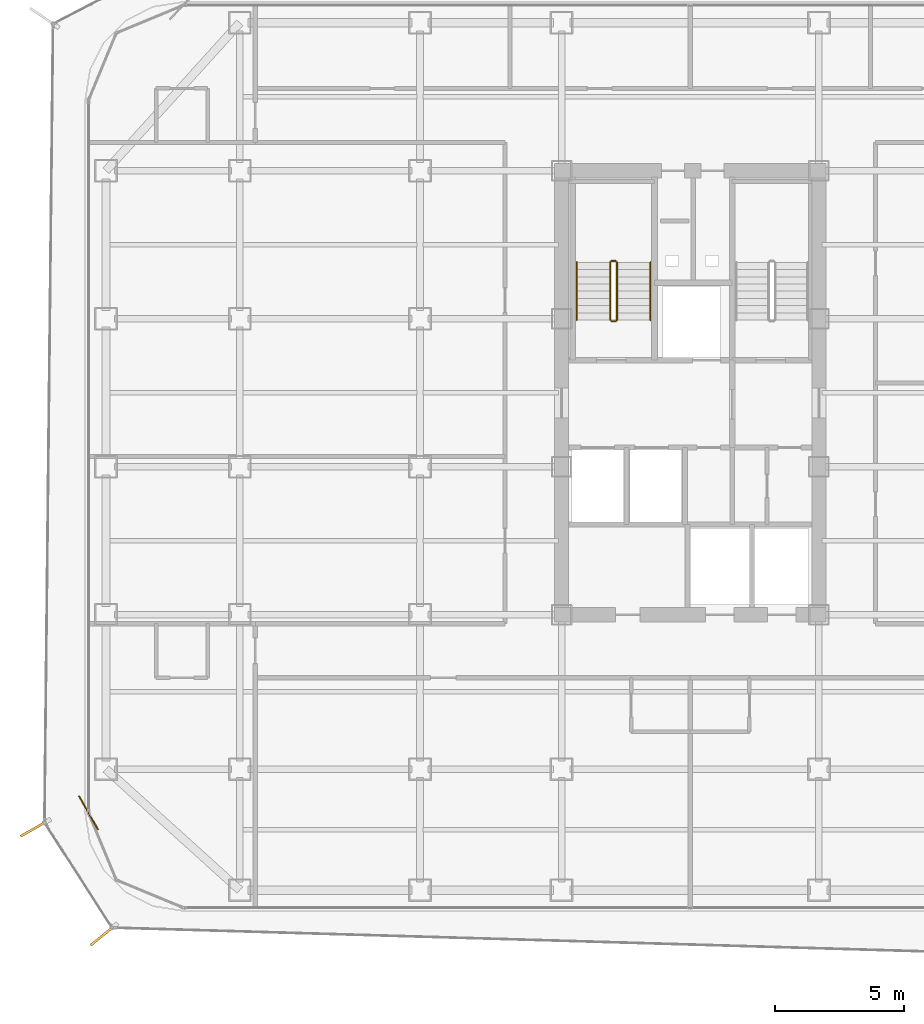
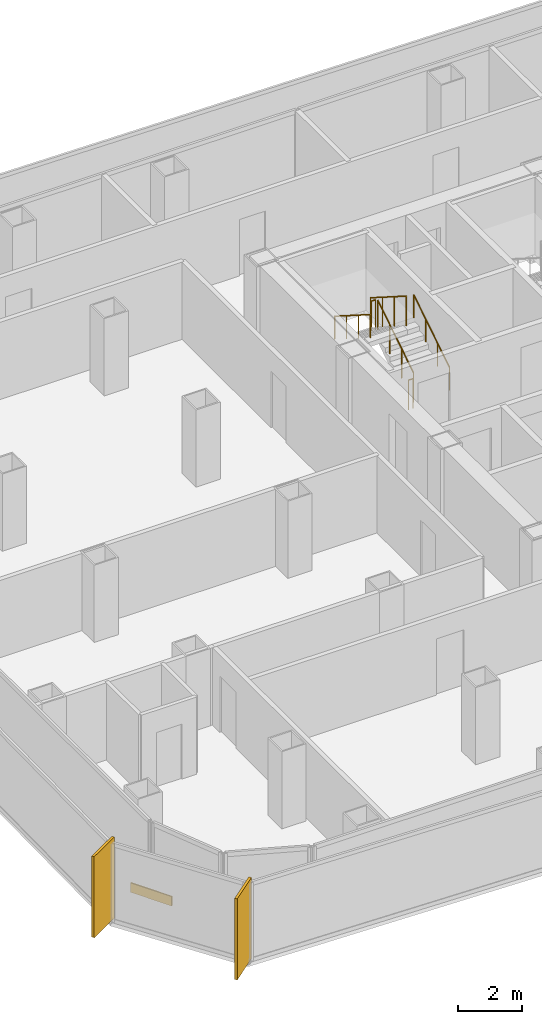
# One storey, part 19 of 21: 6 railings, 2 shading devices, 1 covering.
"""IFC4 building model written with IfcOpenShell, lengths in metres."""

from ifc_helpers import new_model, si_unit, direction, frame, origin, origin_2d, place, context, subcontext, project, spatial, rectangle, circle, extrude, source, transform, mapped, material, layer, layer_set, type_object, element, save


model = new_model("IFC4")

# Units and contexts
model_context = context("Model", 3, precision=1e-05, world=origin(), true_north=direction((0.0, 1.0)))
body_context = subcontext(model_context, "Body", "Model", "MODEL_VIEW")
ifc_project = project(units=[si_unit("LENGTHUNIT", "METRE"), si_unit("AREAUNIT", "SQUARE_METRE"), si_unit("VOLUMEUNIT", "CUBIC_METRE"), si_unit("PLANEANGLEUNIT", "RADIAN"), si_unit("MASSUNIT", "GRAM", prefix="KILO")], contexts=[model_context])

# Site, building, storey
site_placement = place(None, origin())
site = spatial("IfcSite", under=ifc_project, at=site_placement, CompositionType="ELEMENT")
building_placement = place(site_placement, origin())
building = spatial("IfcBuilding", under=site, at=building_placement, Name="Kolveth Station Tower", CompositionType="ELEMENT")
storey_placement = place(building_placement, frame((0.0, 0.0, 131.10009765625)))
storey = spatial("IfcBuildingStorey", under=building, at=storey_placement, Name="L36", CompositionType="ELEMENT", Elevation=131.10009765625)

# Railings
ifc_material_1 = material(Name="Painted Steel S355 balustrade", Category="steel")
railing_type_1 = type_object("IfcRailingType", Name="Guard_GR2", PredefinedType="BALUSTRADE", material=ifc_material_1)
railing_1_placement = place(storey_placement, frame((20.64990234375, 22.949951171875, 0.177734375)))
element("IfcRailing", 1, at=railing_1_placement, inside=storey, type_object=railing_type_1, Name="L36 ST1 stair guard 1", PredefinedType="BALUSTRADE", context=body_context, shape_type="SweptSolid", body=[
    extrude(circle(Radius=0.02392578125, at=origin_2d()), frame((0.0, 0.0, 1.1259765625), z_axis=(0.0, 0.8442293374, 0.53598211339), x_axis=(-1.0, 0.0, 0.0)), (0.0, 0.0, 1.0), 2.6533203125),
    extrude(circle(Radius=0.02099609375, at=origin_2d()), origin(), (0.0, 0.0, 1.0), 1.101806640625),
    extrude(circle(Radius=0.02099609375, at=origin_2d()), frame((0.0, 0.74658203125, 0.47412109375)), (0.0, 0.0, 1.0), 1.101806640625),
    extrude(circle(Radius=0.02099609375, at=origin_2d()), frame((0.0, 1.493408203125, 0.947998046875)), (0.0, 0.0, 1.0), 1.101806640625),
    extrude(circle(Radius=0.02099609375, at=origin_2d()), frame((0.0, 2.239990234375, 1.422119140625)), (0.0, 0.0, 1.0), 1.101806640625),
])
railing_2_placement = place(storey_placement, frame((20.60009765625, 25.239990234375, 1.599853515625)))
element("IfcRailing", 2, at=railing_2_placement, inside=storey, type_object=railing_type_1, Name="L36 ST1 stair guard 2", PredefinedType="BALUSTRADE", context=body_context, shape_type="SweptSolid", body=[
    extrude(circle(Radius=0.02392578125, at=origin_2d()), frame((0.0, 0.0, 1.1259765625), z_axis=(-1.0, 0.0, 0.0), x_axis=(0.0, -1.0, 0.0)), (0.0, 0.0, 1.0), 0.16015625),
    extrude(circle(Radius=0.02099609375, at=origin_2d()), origin(), (0.0, 0.0, 1.0), 1.101806640625),
    extrude(circle(Radius=0.02099609375, at=origin_2d()), frame((-0.16015625, 0.0, 0.0)), (0.0, 0.0, 1.0), 1.101806640625),
])
railing_3_placement = place(storey_placement, frame((20.389892578125, 25.18994140625, 1.777587890625)))
element("IfcRailing", 3, at=railing_3_placement, inside=storey, type_object=railing_type_1, Name="L36 ST1 stair guard 3", PredefinedType="BALUSTRADE", context=body_context, shape_type="SweptSolid", body=[
    extrude(circle(Radius=0.02392578125, at=origin_2d()), frame((0.0, 0.0, 1.1259765625), z_axis=(0.0, -0.84418770128, 0.536047689118), x_axis=(1.0, 0.0, 0.0)), (0.0, 0.0, 1.0), 2.6533203125),
    extrude(circle(Radius=0.02099609375, at=origin_2d()), origin(), (0.0, 0.0, 1.0), 1.101806640625),
    extrude(circle(Radius=0.02099609375, at=origin_2d()), frame((0.0, -0.74658203125, 0.47412109375)), (0.0, 0.0, 1.0), 1.101806640625),
    extrude(circle(Radius=0.02099609375, at=origin_2d()), frame((0.0, -1.493408203125, 0.9482421875)), (0.0, 0.0, 1.0), 1.101806640625),
    extrude(circle(Radius=0.02099609375, at=origin_2d()), frame((0.0, -2.239990234375, 1.42236328125)), (0.0, 0.0, 1.0), 1.101806640625),
])
railing_4_placement = place(storey_placement, frame((20.60009765625, 22.89990234375, 0.0)))
element("IfcRailing", 4, at=railing_4_placement, inside=storey, type_object=railing_type_1, Name="L36 ST1 stair guard 4", PredefinedType="BALUSTRADE", context=body_context, shape_type="SweptSolid", body=[
    extrude(circle(Radius=0.02392578125, at=origin_2d()), frame((0.0, 0.0, 1.1259765625), z_axis=(-1.0, 0.0, 0.0), x_axis=(0.0, -1.0, 0.0)), (0.0, 0.0, 1.0), 0.16015625),
    extrude(circle(Radius=0.02099609375, at=origin_2d()), origin(), (0.0, 0.0, 1.0), 1.101806640625),
    extrude(circle(Radius=0.02099609375, at=origin_2d()), frame((-0.16015625, 0.0, 0.0)), (0.0, 0.0, 1.0), 1.101806640625),
])
ifc_material_2 = material(Name="Brushed stainless steel", Category="steel")
railing_type_2 = type_object("IfcRailingType", Name="Handrail_HR1", PredefinedType="HANDRAIL", material=ifc_material_2)
railing_5_placement = place(storey_placement, frame((21.949951171875, 22.949951171875, 0.177734375)))
element("IfcRailing", 5, at=railing_5_placement, inside=storey, type_object=railing_type_2, Name="L36 ST1 stair handrail 1", PredefinedType="HANDRAIL", context=body_context, shape_type="SweptSolid", body=[
    extrude(circle(Radius=0.02392578125, at=origin_2d()), frame((0.0, 0.0, 0.8759765625), z_axis=(0.0, 0.8442293374, 0.53598211339), x_axis=(-1.0, 0.0, 0.0)), (0.0, 0.0, 1.0), 2.6533203125),
    extrude(circle(Radius=0.02099609375, at=origin_2d()), origin(), (0.0, 0.0, 1.0), 0.851806640625),
    extrude(circle(Radius=0.02099609375, at=origin_2d()), frame((0.0, 0.74658203125, 0.47412109375)), (0.0, 0.0, 1.0), 0.851806640625),
    extrude(circle(Radius=0.02099609375, at=origin_2d()), frame((0.0, 1.493408203125, 0.947998046875)), (0.0, 0.0, 1.0), 0.851806640625),
    extrude(circle(Radius=0.02099609375, at=origin_2d()), frame((0.0, 2.239990234375, 1.422119140625)), (0.0, 0.0, 1.0), 0.851806640625),
])
railing_6_placement = place(storey_placement, frame((19.090087890625, 25.18994140625, 1.777587890625)))
element("IfcRailing", 6, at=railing_6_placement, inside=storey, type_object=railing_type_2, Name="L36 ST1 stair handrail 2", PredefinedType="HANDRAIL", context=body_context, shape_type="SweptSolid", body=[
    extrude(circle(Radius=0.02392578125, at=origin_2d()), frame((0.0, 0.0, 0.8759765625), z_axis=(0.0, -0.84418770128, 0.536047689118), x_axis=(1.0, 0.0, 0.0)), (0.0, 0.0, 1.0), 2.6533203125),
    extrude(circle(Radius=0.02099609375, at=origin_2d()), origin(), (0.0, 0.0, 1.0), 0.851806640625),
    extrude(circle(Radius=0.02099609375, at=origin_2d()), frame((0.0, -0.74658203125, 0.47412109375)), (0.0, 0.0, 1.0), 0.851806640625),
    extrude(circle(Radius=0.02099609375, at=origin_2d()), frame((0.0, -1.493408203125, 0.9482421875)), (0.0, 0.0, 1.0), 0.851806640625),
    extrude(circle(Radius=0.02099609375, at=origin_2d()), frame((0.0, -2.239990234375, 1.42236328125)), (0.0, 0.0, 1.0), 0.851806640625),
])

# Shading devices
ifc_material_3 = material(Name="Black anodized aluminium 6063-T6", Category="aluminium")
shading_device_type = type_object("IfcShadingDeviceType", Name="FIN_VF1", PredefinedType="USERDEFINED", material=ifc_material_3)
shared_shape_1 = source(origin(), body_context, "Body", "SweptSolid", [
    extrude(rectangle(XDim=1.25, YDim=0.090087890625, at=origin_2d()), origin(), (0.0, 0.0, 1.0), 3.10009765625),
])
for number, where, z_axis, x_axis, name in (
    (7, (-1.97607421875, 3.198974609375, -0.000244140625), (0.0, 0.0, 1.0), (-0.869839554062, -0.493334724289, 0.0), "L36 Dark-Aluminium Solar Fin 7"),
    (8, (0.68896484375, -0.948974609375, -0.000244140625), (0.0, 0.0, 1.0), (-0.775054786824, -0.631894039711, 0.0), "L36 Dark-Aluminium Solar Fin 8"),
):
    element("IfcShadingDevice", number, at=place(storey_placement, frame(where, z_axis=z_axis, x_axis=x_axis)), inside=storey, type_object=shading_device_type, Name=name, ObjectType="FIN", PredefinedType="USERDEFINED", context=body_context, shape_type="MappedRepresentation", body=[
        mapped(shared_shape_1, transform((0.0, 0.0, 0.0), x_axis=(1.0, 0.0, 0.0), y_axis=(0.0, 1.0, 0.0), z_axis=(0.0, 0.0, 1.0), scale=1.0)),
    ])

# Covering
ifc_material_4 = material(Name="Charcoal anodized aluminium spandrel cladding", Category="aluminium")
ifc_layer = layer(ifc_material_4, 0.044921875)
ifc_layer_set = layer_set([ifc_layer], Name="Charcoal anodized aluminium spandrel cladding")
covering_type = type_object("IfcCoveringType", Name="Clad_CD1", PredefinedType="CLADDING", material=ifc_layer_set)
shared_shape_2 = source(origin(), body_context, "Body", "SweptSolid", [
    extrude(rectangle(XDim=1.5, YDim=0.044921875, at=origin_2d()), origin(), (0.0, 0.0, 1.0), 0.360107421875),
])
covering_placement = place(storey_placement, frame((0.1201171875, 3.800048828125, 0.0), z_axis=(0.0, 0.0, 1.0), x_axis=(0.493334724289, -0.869839554062, 0.0)))
element("IfcCovering", 9, at=covering_placement, inside=storey, type_object=covering_type, Name="L36 Spandrel Edge Cladding 7", PredefinedType="CLADDING", context=body_context, shape_type="MappedRepresentation", body=[
    mapped(shared_shape_2, transform((0.0, 0.0, 0.0), x_axis=(1.0, 0.0, 0.0), y_axis=(0.0, 1.0, 0.0), z_axis=(0.0, 0.0, 1.0), scale=1.0)),
])

save(model, "model.ifc")
